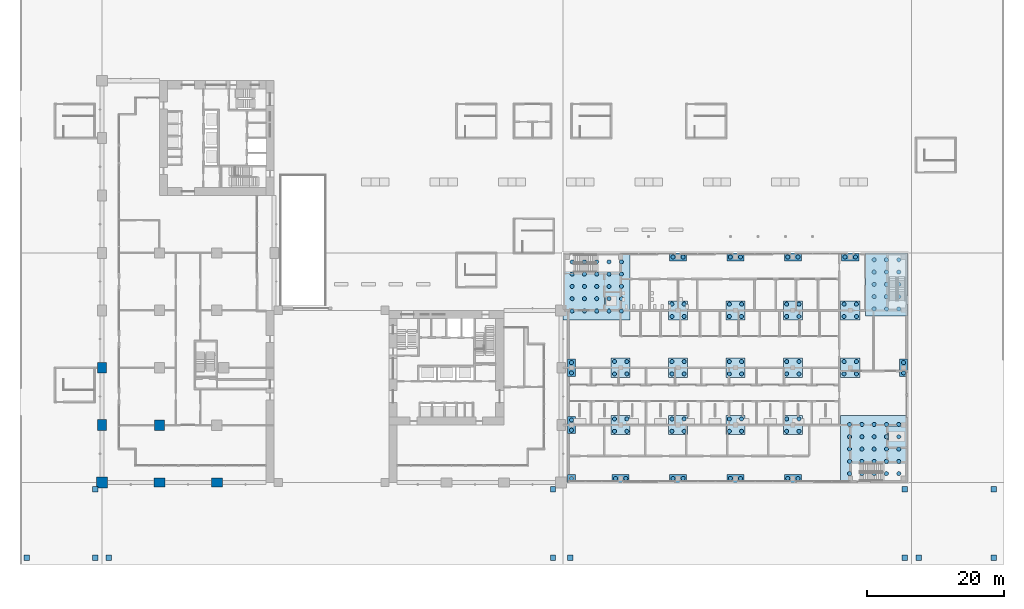
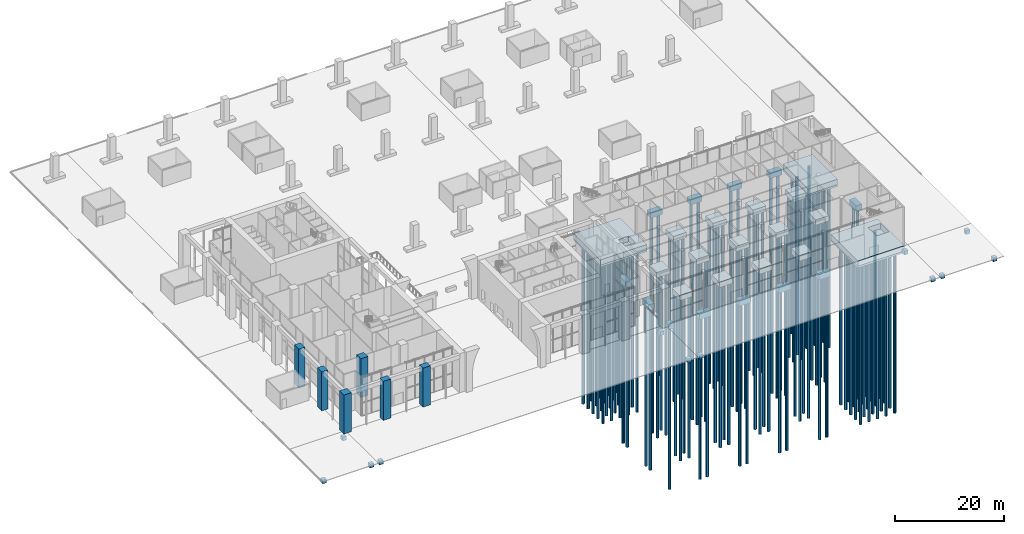
# One storey, part 1 of 46: 140 piles, 43 footings, 6 columns.
"""IFC4 building model written with IfcOpenShell, lengths in metres."""

from ifc_helpers import new_model, si_unit, direction, frame, origin, origin_with_axes, origin_2d, place, context, subcontext, project, spatial, polyline, rectangle, circle, outline, extrude, material, layer, layer_set, material_profile, profile_set, type_object, element, save


model = new_model("IFC4")

# Units and contexts
model_context = context("Model", 3, precision=1e-05, world=origin(), true_north=direction((0.0, 1.0)))
body_context = subcontext(model_context, "Body", "Model", "MODEL_VIEW")
ifc_project = project(units=[si_unit("LENGTHUNIT", "METRE"), si_unit("AREAUNIT", "SQUARE_METRE"), si_unit("VOLUMEUNIT", "CUBIC_METRE"), si_unit("PLANEANGLEUNIT", "RADIAN"), si_unit("MASSUNIT", "GRAM", prefix="KILO")], contexts=[model_context])

# Site, building, storey
site_placement = place(None, origin())
site = spatial("IfcSite", under=ifc_project, at=site_placement, CompositionType="ELEMENT")
building_placement = place(site_placement, origin())
building = spatial("IfcBuilding", under=site, at=building_placement, Name="Vermilion Gate Residences", CompositionType="ELEMENT")
storey_placement = place(building_placement, origin())
storey = spatial("IfcBuildingStorey", under=building, at=storey_placement, Name="L00", CompositionType="ELEMENT", Elevation=0.0)

# Piles
ifc_material_1 = material(Name="Concrete C35", Category="concrete")
ifc_material_profile_1 = material_profile(ifc_material_1, circle(Radius=0.300048828125, at=origin_2d()), Name="BORED PILE 600 C35 (MARKET HALL)")
ifc_profile_set_1 = profile_set([ifc_material_profile_1], Name="Concrete C35")
pile_type = type_object("IfcPileType", Name="BORED PILE 600 C35 (MARKET HALL)", PredefinedType="BORED", material=ifc_profile_set_1)
for number, where, z_axis, x_axis, name in (
    (1, (68.699951171875, 0.60009765625, -1.39990234375), (0.0, 0.0, -1.0), (1.0, 0.0, 0.0), "Bored pile H1-MA-1"),
    (2, (68.699951171875, 7.64990234375, -1.39990234375), (0.0, 0.0, -1.0), (1.0, 0.0, 0.0), "Bored pile H1-MB-1"),
    (3, (68.699951171875, 9.14990234375, -1.39990234375), (0.0, 0.0, -1.0), (1.0, 0.0, 0.0), "Bored pile H1-MB-2"),
    (4, (68.699951171875, 16.050048828125, -1.39990234375), (0.0, 0.0, -1.0), (1.0, 0.0, 0.0), "Bored pile H1-MC-1"),
    (5, (68.699951171875, 17.550048828125, -1.39990234375), (0.0, 0.0, -1.0), (1.0, 0.0, 0.0), "Bored pile H1-MC-2"),
    (6, (75.14990234375, 0.60009765625, -1.39990234375), (0.0, 0.0, -1.0), (1.0, 0.0, 0.0), "Bored pile H2-MA-1"),
    (7, (76.64990234375, 0.60009765625, -1.39990234375), (0.0, 0.0, -1.0), (1.0, 0.0, 0.0), "Bored pile H2-MA-2"),
    (8, (75.0, 7.5, -1.39990234375), (0.0, 0.0, -1.0), (1.0, 0.0, 0.0), "Bored pile H2-MB-1"),
    (9, (76.800048828125, 7.5, -1.39990234375), (0.0, 0.0, -1.0), (1.0, 0.0, 0.0), "Bored pile H2-MB-2"),
    (10, (75.0, 9.300048828125, -1.39990234375), (0.0, 0.0, -1.0), (1.0, 0.0, 0.0), "Bored pile H2-MB-3"),
    (11, (76.800048828125, 9.300048828125, -1.39990234375), (0.0, 0.0, -1.0), (1.0, 0.0, 0.0), "Bored pile H2-MB-4"),
    (12, (75.0, 15.89990234375, -1.39990234375), (0.0, 0.0, -1.0), (1.0, 0.0, 0.0), "Bored pile H2-MC-1"),
    (13, (76.800048828125, 15.89990234375, -1.39990234375), (0.0, 0.0, -1.0), (1.0, 0.0, 0.0), "Bored pile H2-MC-2"),
    (14, (75.0, 17.699951171875, -1.39990234375), (0.0, 0.0, -1.0), (1.0, 0.0, 0.0), "Bored pile H2-MC-3"),
    (15, (76.800048828125, 17.699951171875, -1.39990234375), (0.0, 0.0, -1.0), (1.0, 0.0, 0.0), "Bored pile H2-MC-4"),
    (16, (83.550048828125, 0.60009765625, -1.39990234375), (0.0, 0.0, -1.0), (1.0, 0.0, 0.0), "Bored pile H3-MA-1"),
    (17, (85.050048828125, 0.60009765625, -1.39990234375), (0.0, 0.0, -1.0), (1.0, 0.0, 0.0), "Bored pile H3-MA-2"),
    (18, (83.39990234375, 7.5, -1.39990234375), (0.0, 0.0, -1.0), (1.0, 0.0, 0.0), "Bored pile H3-MB-1"),
    (19, (85.199951171875, 7.5, -1.39990234375), (0.0, 0.0, -1.0), (1.0, 0.0, 0.0), "Bored pile H3-MB-2"),
    (20, (83.39990234375, 9.300048828125, -1.39990234375), (0.0, 0.0, -1.0), (1.0, 0.0, 0.0), "Bored pile H3-MB-3"),
    (21, (85.199951171875, 9.300048828125, -1.39990234375), (0.0, 0.0, -1.0), (1.0, 0.0, 0.0), "Bored pile H3-MB-4"),
    (22, (83.39990234375, 15.89990234375, -1.39990234375), (0.0, 0.0, -1.0), (1.0, 0.0, 0.0), "Bored pile H3-MC-1"),
    (23, (85.199951171875, 15.89990234375, -1.39990234375), (0.0, 0.0, -1.0), (1.0, 0.0, 0.0), "Bored pile H3-MC-2"),
    (24, (83.39990234375, 17.699951171875, -1.39990234375), (0.0, 0.0, -1.0), (1.0, 0.0, 0.0), "Bored pile H3-MC-3"),
    (25, (85.199951171875, 17.699951171875, -1.39990234375), (0.0, 0.0, -1.0), (1.0, 0.0, 0.0), "Bored pile H3-MC-4"),
    (26, (83.39990234375, 24.300048828125, -1.39990234375), (0.0, 0.0, -1.0), (1.0, 0.0, 0.0), "Bored pile H3-MD-1"),
    (27, (85.199951171875, 24.300048828125, -1.39990234375), (0.0, 0.0, -1.0), (1.0, 0.0, 0.0), "Bored pile H3-MD-2"),
    (28, (83.39990234375, 26.10009765625, -1.39990234375), (0.0, 0.0, -1.0), (1.0, 0.0, 0.0), "Bored pile H3-MD-3"),
    (29, (85.199951171875, 26.10009765625, -1.39990234375), (0.0, 0.0, -1.0), (1.0, 0.0, 0.0), "Bored pile H3-MD-4"),
    (30, (83.550048828125, 33.0, -1.39990234375), (0.0, 0.0, -1.0), (1.0, 0.0, 0.0), "Bored pile H3-ME-1"),
    (31, (85.050048828125, 33.0, -1.39990234375), (0.0, 0.0, -1.0), (1.0, 0.0, 0.0), "Bored pile H3-ME-2"),
    (32, (91.949951171875, 0.60009765625, -1.39990234375), (0.0, 0.0, -1.0), (1.0, 0.0, 0.0), "Bored pile H4-MA-1"),
    (33, (93.449951171875, 0.60009765625, -1.39990234375), (0.0, 0.0, -1.0), (1.0, 0.0, 0.0), "Bored pile H4-MA-2"),
    (34, (91.800048828125, 7.5, -1.39990234375), (0.0, 0.0, -1.0), (1.0, 0.0, 0.0), "Bored pile H4-MB-1"),
    (35, (93.60009765625, 7.5, -1.39990234375), (0.0, 0.0, -1.0), (1.0, 0.0, 0.0), "Bored pile H4-MB-2"),
    (36, (91.800048828125, 9.300048828125, -1.39990234375), (0.0, 0.0, -1.0), (1.0, 0.0, 0.0), "Bored pile H4-MB-3"),
    (37, (93.60009765625, 9.300048828125, -1.39990234375), (0.0, 0.0, -1.0), (1.0, 0.0, 0.0), "Bored pile H4-MB-4"),
    (38, (91.800048828125, 15.89990234375, -1.39990234375), (0.0, 0.0, -1.0), (1.0, 0.0, 0.0), "Bored pile H4-MC-1"),
    (39, (93.60009765625, 15.89990234375, -1.39990234375), (0.0, 0.0, -1.0), (1.0, 0.0, 0.0), "Bored pile H4-MC-2"),
    (40, (91.800048828125, 17.699951171875, -1.39990234375), (0.0, 0.0, -1.0), (1.0, 0.0, 0.0), "Bored pile H4-MC-3"),
    (41, (93.60009765625, 17.699951171875, -1.39990234375), (0.0, 0.0, -1.0), (1.0, 0.0, 0.0), "Bored pile H4-MC-4"),
    (42, (91.800048828125, 24.300048828125, -1.39990234375), (0.0, 0.0, -1.0), (1.0, 0.0, 0.0), "Bored pile H4-MD-1"),
    (43, (93.60009765625, 24.300048828125, -1.39990234375), (0.0, 0.0, -1.0), (1.0, 0.0, 0.0), "Bored pile H4-MD-2"),
    (44, (91.800048828125, 26.10009765625, -1.39990234375), (0.0, 0.0, -1.0), (1.0, 0.0, 0.0), "Bored pile H4-MD-3"),
    (45, (93.60009765625, 26.10009765625, -1.39990234375), (0.0, 0.0, -1.0), (1.0, 0.0, 0.0), "Bored pile H4-MD-4"),
    (46, (91.949951171875, 33.0, -1.39990234375), (0.0, 0.0, -1.0), (1.0, 0.0, 0.0), "Bored pile H4-ME-1"),
    (47, (93.449951171875, 33.0, -1.39990234375), (0.0, 0.0, -1.0), (1.0, 0.0, 0.0), "Bored pile H4-ME-2"),
    (48, (100.35009765625, 0.60009765625, -1.39990234375), (0.0, 0.0, -1.0), (1.0, 0.0, 0.0), "Bored pile H5-MA-1"),
    (49, (101.85009765625, 0.60009765625, -1.39990234375), (0.0, 0.0, -1.0), (1.0, 0.0, 0.0), "Bored pile H5-MA-2"),
    (50, (100.199951171875, 7.5, -1.39990234375), (0.0, 0.0, -1.0), (1.0, 0.0, 0.0), "Bored pile H5-MB-1"),
    (51, (102.0, 7.5, -1.39990234375), (0.0, 0.0, -1.0), (1.0, 0.0, 0.0), "Bored pile H5-MB-2"),
    (52, (100.199951171875, 9.300048828125, -1.39990234375), (0.0, 0.0, -1.0), (1.0, 0.0, 0.0), "Bored pile H5-MB-3"),
    (53, (102.0, 9.300048828125, -1.39990234375), (0.0, 0.0, -1.0), (1.0, 0.0, 0.0), "Bored pile H5-MB-4"),
    (54, (100.199951171875, 15.89990234375, -1.39990234375), (0.0, 0.0, -1.0), (1.0, 0.0, 0.0), "Bored pile H5-MC-1"),
    (55, (102.0, 15.89990234375, -1.39990234375), (0.0, 0.0, -1.0), (1.0, 0.0, 0.0), "Bored pile H5-MC-2"),
    (56, (100.199951171875, 17.699951171875, -1.39990234375), (0.0, 0.0, -1.0), (1.0, 0.0, 0.0), "Bored pile H5-MC-3"),
    (57, (102.0, 17.699951171875, -1.39990234375), (0.0, 0.0, -1.0), (1.0, 0.0, 0.0), "Bored pile H5-MC-4"),
    (58, (100.199951171875, 24.300048828125, -1.39990234375), (0.0, 0.0, -1.0), (1.0, 0.0, 0.0), "Bored pile H5-MD-1"),
    (59, (102.0, 24.300048828125, -1.39990234375), (0.0, 0.0, -1.0), (1.0, 0.0, 0.0), "Bored pile H5-MD-2"),
    (60, (100.199951171875, 26.10009765625, -1.39990234375), (0.0, 0.0, -1.0), (1.0, 0.0, 0.0), "Bored pile H5-MD-3"),
    (61, (102.0, 26.10009765625, -1.39990234375), (0.0, 0.0, -1.0), (1.0, 0.0, 0.0), "Bored pile H5-MD-4"),
    (62, (100.35009765625, 33.0, -1.39990234375), (0.0, 0.0, -1.0), (1.0, 0.0, 0.0), "Bored pile H5-ME-1"),
    (63, (101.85009765625, 33.0, -1.39990234375), (0.0, 0.0, -1.0), (1.0, 0.0, 0.0), "Bored pile H5-ME-2"),
    (64, (108.60009765625, 15.89990234375, -1.39990234375), (0.0, 0.0, -1.0), (1.0, 0.0, 0.0), "Bored pile H6-MC-1"),
    (65, (110.39990234375, 15.89990234375, -1.39990234375), (0.0, 0.0, -1.0), (1.0, 0.0, 0.0), "Bored pile H6-MC-2"),
    (66, (108.60009765625, 17.699951171875, -1.39990234375), (0.0, 0.0, -1.0), (1.0, 0.0, 0.0), "Bored pile H6-MC-3"),
    (67, (110.39990234375, 17.699951171875, -1.39990234375), (0.0, 0.0, -1.0), (1.0, 0.0, 0.0), "Bored pile H6-MC-4"),
    (68, (108.60009765625, 24.300048828125, -1.39990234375), (0.0, 0.0, -1.0), (1.0, 0.0, 0.0), "Bored pile H6-MD-1"),
    (69, (110.39990234375, 24.300048828125, -1.39990234375), (0.0, 0.0, -1.0), (1.0, 0.0, 0.0), "Bored pile H6-MD-2"),
    (70, (108.60009765625, 26.10009765625, -1.39990234375), (0.0, 0.0, -1.0), (1.0, 0.0, 0.0), "Bored pile H6-MD-3"),
    (71, (110.39990234375, 26.10009765625, -1.39990234375), (0.0, 0.0, -1.0), (1.0, 0.0, 0.0), "Bored pile H6-MD-4"),
    (72, (108.75, 33.0, -1.39990234375), (0.0, 0.0, -1.0), (1.0, 0.0, 0.0), "Bored pile H6-ME-1"),
    (73, (110.25, 33.0, -1.39990234375), (0.0, 0.0, -1.0), (1.0, 0.0, 0.0), "Bored pile H6-ME-2"),
    (74, (117.300048828125, 16.050048828125, -1.39990234375), (0.0, 0.0, -1.0), (1.0, 0.0, 0.0), "Bored pile H7-MC-1"),
    (75, (117.300048828125, 17.550048828125, -1.39990234375), (0.0, 0.0, -1.0), (1.0, 0.0, 0.0), "Bored pile H7-MC-2"),
    (76, (68.800048828125, 25.10009765625, -1.60009765625), (0.0, 0.0, -1.0), (1.0, 0.0, 0.0), "Bored pile core A-1-1"),
    (77, (68.800048828125, 26.89990234375, -1.60009765625), (0.0, 0.0, -1.0), (1.0, 0.0, 0.0), "Bored pile core A-1-2"),
    (78, (68.800048828125, 28.699951171875, -1.60009765625), (0.0, 0.0, -1.0), (1.0, 0.0, 0.0), "Bored pile core A-1-3"),
    (79, (68.800048828125, 30.5, -1.60009765625), (0.0, 0.0, -1.0), (1.0, 0.0, 0.0), "Bored pile core A-1-4"),
    (80, (68.800048828125, 32.300048828125, -1.60009765625), (0.0, 0.0, -1.0), (1.0, 0.0, 0.0), "Bored pile core A-1-5"),
    (81, (70.60009765625, 25.10009765625, -1.60009765625), (0.0, 0.0, -1.0), (1.0, 0.0, 0.0), "Bored pile core A-2-1"),
    (82, (70.60009765625, 26.89990234375, -1.60009765625), (0.0, 0.0, -1.0), (1.0, 0.0, 0.0), "Bored pile core A-2-2"),
    (83, (70.60009765625, 28.699951171875, -1.60009765625), (0.0, 0.0, -1.0), (1.0, 0.0, 0.0), "Bored pile core A-2-3"),
    (84, (70.60009765625, 30.5, -1.60009765625), (0.0, 0.0, -1.0), (1.0, 0.0, 0.0), "Bored pile core A-2-4"),
    (85, (70.60009765625, 32.300048828125, -1.60009765625), (0.0, 0.0, -1.0), (1.0, 0.0, 0.0), "Bored pile core A-2-5"),
    (86, (72.39990234375, 25.10009765625, -1.60009765625), (0.0, 0.0, -1.0), (1.0, 0.0, 0.0), "Bored pile core A-3-1"),
    (87, (72.39990234375, 26.89990234375, -1.60009765625), (0.0, 0.0, -1.0), (1.0, 0.0, 0.0), "Bored pile core A-3-2"),
    (88, (72.39990234375, 28.699951171875, -1.60009765625), (0.0, 0.0, -1.0), (1.0, 0.0, 0.0), "Bored pile core A-3-3"),
    (89, (72.39990234375, 30.5, -1.60009765625), (0.0, 0.0, -1.0), (1.0, 0.0, 0.0), "Bored pile core A-3-4"),
    (90, (72.39990234375, 32.300048828125, -1.60009765625), (0.0, 0.0, -1.0), (1.0, 0.0, 0.0), "Bored pile core A-3-5"),
    (91, (74.199951171875, 25.10009765625, -1.60009765625), (0.0, 0.0, -1.0), (1.0, 0.0, 0.0), "Bored pile core A-4-1"),
    (92, (74.199951171875, 26.89990234375, -1.60009765625), (0.0, 0.0, -1.0), (1.0, 0.0, 0.0), "Bored pile core A-4-2"),
    (93, (74.199951171875, 28.699951171875, -1.60009765625), (0.0, 0.0, -1.0), (1.0, 0.0, 0.0), "Bored pile core A-4-3"),
    (94, (74.199951171875, 30.5, -1.60009765625), (0.0, 0.0, -1.0), (1.0, 0.0, 0.0), "Bored pile core A-4-4"),
    (95, (74.199951171875, 32.300048828125, -1.60009765625), (0.0, 0.0, -1.0), (1.0, 0.0, 0.0), "Bored pile core A-4-5"),
    (96, (76.0, 25.10009765625, -1.60009765625), (0.0, 0.0, -1.0), (1.0, 0.0, 0.0), "Bored pile core A-5-1"),
    (97, (76.0, 26.89990234375, -1.60009765625), (0.0, 0.0, -1.0), (1.0, 0.0, 0.0), "Bored pile core A-5-2"),
    (98, (76.0, 28.699951171875, -1.60009765625), (0.0, 0.0, -1.0), (1.0, 0.0, 0.0), "Bored pile core A-5-3"),
    (99, (76.0, 30.5, -1.60009765625), (0.0, 0.0, -1.0), (1.0, 0.0, 0.0), "Bored pile core A-5-4"),
    (100, (76.0, 32.300048828125, -1.60009765625), (0.0, 0.0, -1.0), (1.0, 0.0, 0.0), "Bored pile core A-5-5"),
    (101, (109.39990234375, 1.300048828125, -1.60009765625), (0.0, 0.0, -1.0), (1.0, 0.0, 0.0), "Bored pile core B-1-1"),
    (102, (109.39990234375, 3.10009765625, -1.60009765625), (0.0, 0.0, -1.0), (1.0, 0.0, 0.0), "Bored pile core B-1-2"),
    (103, (109.39990234375, 4.89990234375, -1.60009765625), (0.0, 0.0, -1.0), (1.0, 0.0, 0.0), "Bored pile core B-1-3"),
    (104, (109.39990234375, 6.699951171875, -1.60009765625), (0.0, 0.0, -1.0), (1.0, 0.0, 0.0), "Bored pile core B-1-4"),
    (105, (109.39990234375, 8.5, -1.60009765625), (0.0, 0.0, -1.0), (1.0, 0.0, 0.0), "Bored pile core B-1-5"),
    (106, (111.199951171875, 1.300048828125, -1.60009765625), (0.0, 0.0, -1.0), (1.0, 0.0, 0.0), "Bored pile core B-2-1"),
    (107, (111.199951171875, 3.10009765625, -1.60009765625), (0.0, 0.0, -1.0), (1.0, 0.0, 0.0), "Bored pile core B-2-2"),
    (108, (111.199951171875, 4.89990234375, -1.60009765625), (0.0, 0.0, -1.0), (1.0, 0.0, 0.0), "Bored pile core B-2-3"),
    (109, (111.199951171875, 6.699951171875, -1.60009765625), (0.0, 0.0, -1.0), (1.0, 0.0, 0.0), "Bored pile core B-2-4"),
    (110, (111.199951171875, 8.5, -1.60009765625), (0.0, 0.0, -1.0), (1.0, 0.0, 0.0), "Bored pile core B-2-5"),
    (111, (113.0, 1.300048828125, -1.60009765625), (0.0, 0.0, -1.0), (1.0, 0.0, 0.0), "Bored pile core B-3-1"),
    (112, (113.0, 3.10009765625, -1.60009765625), (0.0, 0.0, -1.0), (1.0, 0.0, 0.0), "Bored pile core B-3-2"),
    (113, (113.0, 4.89990234375, -1.60009765625), (0.0, 0.0, -1.0), (1.0, 0.0, 0.0), "Bored pile core B-3-3"),
    (114, (113.0, 6.699951171875, -1.60009765625), (0.0, 0.0, -1.0), (1.0, 0.0, 0.0), "Bored pile core B-3-4"),
    (115, (113.0, 8.5, -1.60009765625), (0.0, 0.0, -1.0), (1.0, 0.0, 0.0), "Bored pile core B-3-5"),
    (116, (114.800048828125, 1.300048828125, -1.60009765625), (0.0, 0.0, -1.0), (1.0, 0.0, 0.0), "Bored pile core B-4-1"),
    (117, (114.800048828125, 3.10009765625, -1.60009765625), (0.0, 0.0, -1.0), (1.0, 0.0, 0.0), "Bored pile core B-4-2"),
    (118, (114.800048828125, 4.89990234375, -1.60009765625), (0.0, 0.0, -1.0), (1.0, 0.0, 0.0), "Bored pile core B-4-3"),
    (119, (114.800048828125, 6.699951171875, -1.60009765625), (0.0, 0.0, -1.0), (1.0, 0.0, 0.0), "Bored pile core B-4-4"),
    (120, (114.800048828125, 8.5, -1.60009765625), (0.0, 0.0, -1.0), (1.0, 0.0, 0.0), "Bored pile core B-4-5"),
    (121, (116.60009765625, 1.300048828125, -1.60009765625), (0.0, 0.0, -1.0), (1.0, 0.0, 0.0), "Bored pile core B-5-1"),
    (122, (116.60009765625, 3.10009765625, -1.60009765625), (0.0, 0.0, -1.0), (1.0, 0.0, 0.0), "Bored pile core B-5-2"),
    (123, (116.60009765625, 4.89990234375, -1.60009765625), (0.0, 0.0, -1.0), (1.0, 0.0, 0.0), "Bored pile core B-5-3"),
    (124, (116.60009765625, 6.699951171875, -1.60009765625), (0.0, 0.0, -1.0), (1.0, 0.0, 0.0), "Bored pile core B-5-4"),
    (125, (116.60009765625, 8.5, -1.60009765625), (0.0, 0.0, -1.0), (1.0, 0.0, 0.0), "Bored pile core B-5-5"),
    (126, (113.0, 25.39990234375, -1.60009765625), (0.0, 0.0, -1.0), (1.0, 0.0, 0.0), "Bored pile core C-1-1"),
    (127, (113.0, 27.199951171875, -1.60009765625), (0.0, 0.0, -1.0), (1.0, 0.0, 0.0), "Bored pile core C-1-2"),
    (128, (113.0, 29.0, -1.60009765625), (0.0, 0.0, -1.0), (1.0, 0.0, 0.0), "Bored pile core C-1-3"),
    (129, (113.0, 30.800048828125, -1.60009765625), (0.0, 0.0, -1.0), (1.0, 0.0, 0.0), "Bored pile core C-1-4"),
    (130, (113.0, 32.60009765625, -1.60009765625), (0.0, 0.0, -1.0), (1.0, 0.0, 0.0), "Bored pile core C-1-5"),
    (131, (114.800048828125, 25.39990234375, -1.60009765625), (0.0, 0.0, -1.0), (1.0, 0.0, 0.0), "Bored pile core C-2-1"),
    (132, (114.800048828125, 27.199951171875, -1.60009765625), (0.0, 0.0, -1.0), (1.0, 0.0, 0.0), "Bored pile core C-2-2"),
    (133, (114.800048828125, 29.0, -1.60009765625), (0.0, 0.0, -1.0), (1.0, 0.0, 0.0), "Bored pile core C-2-3"),
    (134, (114.800048828125, 30.800048828125, -1.60009765625), (0.0, 0.0, -1.0), (1.0, 0.0, 0.0), "Bored pile core C-2-4"),
    (135, (114.800048828125, 32.60009765625, -1.60009765625), (0.0, 0.0, -1.0), (1.0, 0.0, 0.0), "Bored pile core C-2-5"),
    (136, (116.60009765625, 25.39990234375, -1.60009765625), (0.0, 0.0, -1.0), (1.0, 0.0, 0.0), "Bored pile core C-3-1"),
    (137, (116.60009765625, 27.199951171875, -1.60009765625), (0.0, 0.0, -1.0), (1.0, 0.0, 0.0), "Bored pile core C-3-2"),
    (138, (116.60009765625, 29.0, -1.60009765625), (0.0, 0.0, -1.0), (1.0, 0.0, 0.0), "Bored pile core C-3-3"),
    (139, (116.60009765625, 30.800048828125, -1.60009765625), (0.0, 0.0, -1.0), (1.0, 0.0, 0.0), "Bored pile core C-3-4"),
    (140, (116.60009765625, 32.60009765625, -1.60009765625), (0.0, 0.0, -1.0), (1.0, 0.0, 0.0), "Bored pile core C-3-5"),
):
    element("IfcPile", number, at=place(storey_placement, frame(where, z_axis=z_axis, x_axis=x_axis)), inside=storey, type_object=pile_type, Name=name, PredefinedType="BORED", context=body_context, shape_type="SweptSolid", body=[
        extrude(circle(Radius=0.300048828125, at=origin_2d()), origin(), (0.0, 0.0, 1.0), 36.0),
    ])

# Footings
ifc_material_2 = material(Name="Concrete C35", Category="concrete")
ifc_layer_1 = layer(ifc_material_2, 1.199951171875)
ifc_layer_set_1 = layer_set([ifc_layer_1], Name="CORE PILE CAP 1200 C35 (MARKET HALL)")
footing_type_1 = type_object("IfcFootingType", Name="CORE PILE CAP 1200 C35 (MARKET HALL)", PredefinedType="PILE_CAP", material=ifc_layer_set_1)
footing_1_placement = place(storey_placement, frame((0.0, 0.0, -1.199951171875)))
element("IfcFooting", 141, at=footing_1_placement, inside=storey, type_object=footing_type_1, Name="Core pile cap A", PredefinedType="PILE_CAP", context=body_context, shape_type="SweptSolid", body=[
    extrude(outline(polyline([(67.5, 23.800048828125), (77.300048828125, 23.800048828125), (77.300048828125, 33.60009765625), (67.5, 33.60009765625), (67.5, 23.800048828125)]), holes=[polyline([(73.625, 25.324951171875), (75.77490234375, 25.324951171875), (75.77490234375, 27.77490234375), (73.625, 27.77490234375), (73.625, 25.324951171875)])]), origin(), (0.0, 0.0, 1.0), 1.199951171875),
])
footing_2_placement = place(storey_placement, frame((0.0, 0.0, -1.199951171875)))
element("IfcFooting", 142, at=footing_2_placement, inside=storey, type_object=footing_type_1, Name="Core pile cap B", PredefinedType="PILE_CAP", context=body_context, shape_type="SweptSolid", body=[
    extrude(outline(polyline([(108.10009765625, 0.0), (117.89990234375, 0.0), (117.89990234375, 9.800048828125), (108.10009765625, 9.800048828125), (108.10009765625, 0.0)]), holes=[polyline([(115.02490234375, 5.22509765625), (117.64990234375, 5.22509765625), (117.64990234375, 8.27490234375), (115.02490234375, 8.27490234375), (115.02490234375, 5.22509765625)])]), origin(), (0.0, 0.0, 1.0), 1.199951171875),
])
footing_3_placement = place(storey_placement, frame((0.0, 0.0, -1.199951171875)))
element("IfcFooting", 143, at=footing_3_placement, inside=storey, type_object=footing_type_1, Name="Core pile cap C", PredefinedType="PILE_CAP", context=body_context, shape_type="SweptSolid", body=[
    extrude(outline(polyline([(111.699951171875, 24.39990234375), (117.89990234375, 24.39990234375), (117.89990234375, 33.60009765625), (111.699951171875, 33.60009765625), (111.699951171875, 24.39990234375)])), origin(), (0.0, 0.0, 1.0), 1.199951171875),
])
ifc_material_3 = material(Name="Concrete C35", Category="concrete")
ifc_layer_2 = layer(ifc_material_3, 0.39990234375)
ifc_layer_set_2 = layer_set([ifc_layer_2], Name="CORE PILE CAP BASE 400 C35 (MARKET HALL)")
footing_type_2 = type_object("IfcFootingType", Name="CORE PILE CAP BASE 400 C35 (MARKET HALL)", PredefinedType="PILE_CAP", material=ifc_layer_set_2)
footing_4_placement = place(storey_placement, frame((0.0, 0.0, -1.60009765625)))
element("IfcFooting", 144, at=footing_4_placement, inside=storey, type_object=footing_type_2, Name="Core pile cap A base", PredefinedType="PILE_CAP", context=body_context, shape_type="SweptSolid", body=[
    extrude(outline(polyline([(67.5, 23.800048828125), (77.300048828125, 23.800048828125), (77.300048828125, 33.60009765625), (67.5, 33.60009765625), (67.5, 23.800048828125)])), origin(), (0.0, 0.0, 1.0), 0.400146484375),
])
footing_5_placement = place(storey_placement, frame((0.0, 0.0, -1.60009765625)))
element("IfcFooting", 145, at=footing_5_placement, inside=storey, type_object=footing_type_2, Name="Core pile cap B base", PredefinedType="PILE_CAP", context=body_context, shape_type="SweptSolid", body=[
    extrude(outline(polyline([(108.10009765625, 0.0), (117.89990234375, 0.0), (117.89990234375, 9.800048828125), (108.10009765625, 9.800048828125), (108.10009765625, 0.0)])), origin(), (0.0, 0.0, 1.0), 0.400146484375),
])
footing_6_placement = place(storey_placement, frame((0.0, 0.0, -1.60009765625)))
element("IfcFooting", 146, at=footing_6_placement, inside=storey, type_object=footing_type_2, Name="Core pile cap C base", PredefinedType="PILE_CAP", context=body_context, shape_type="SweptSolid", body=[
    extrude(outline(polyline([(111.699951171875, 24.39990234375), (117.89990234375, 24.39990234375), (117.89990234375, 33.60009765625), (111.699951171875, 33.60009765625), (111.699951171875, 24.39990234375)])), origin(), (0.0, 0.0, 1.0), 0.400146484375),
])
ifc_material_4 = material(Name="Concrete C35", Category="concrete")
ifc_layer_3 = layer(ifc_material_4, 1.199951171875)
ifc_layer_set_3 = layer_set([ifc_layer_3], Name="PILE CAP 1200 X 1200 X 1200 C35 (MARKET HALL)")
footing_type_3 = type_object("IfcFootingType", Name="PILE CAP 1200 X 1200 X 1200 C35 (MARKET HALL)", PredefinedType="PILE_CAP", material=ifc_layer_set_3)
footing_7_placement = place(storey_placement, frame((68.699951171875, 0.60009765625, -1.39990234375), z_axis=(0.0, 0.0, 1.0), x_axis=(1.0, 0.0, 0.0)))
element("IfcFooting", 147, at=footing_7_placement, inside=storey, type_object=footing_type_3, Name="Pile cap H1-MA", PredefinedType="PILE_CAP", context=body_context, shape_type="SweptSolid", body=[
    extrude(rectangle(XDim=1.199951171875, YDim=1.199951171875, at=origin_2d()), origin(), (0.0, 0.0, 1.0), 1.199951171875),
])
ifc_material_5 = material(Name="Concrete C35", Category="concrete")
ifc_layer_4 = layer(ifc_material_5, 1.199951171875)
ifc_layer_set_4 = layer_set([ifc_layer_4], Name="PILE CAP 2500 X 1200 X 1200 C35 (MARKET HALL)")
footing_type_4 = type_object("IfcFootingType", Name="PILE CAP 2500 X 1200 X 1200 C35 (MARKET HALL)", PredefinedType="PILE_CAP", material=ifc_layer_set_4)
for number, where, z_axis, x_axis, name in (
    (148, (68.699951171875, 8.39990234375, -1.39990234375), (0.0, 0.0, 1.0), (1.0, 0.0, 0.0), "Pile cap H1-MB"),
    (149, (68.699951171875, 16.800048828125, -1.39990234375), (0.0, 0.0, 1.0), (1.0, 0.0, 0.0), "Pile cap H1-MC"),
):
    element("IfcFooting", number, at=place(storey_placement, frame(where, z_axis=z_axis, x_axis=x_axis)), inside=storey, type_object=footing_type_4, Name=name, PredefinedType="PILE_CAP", context=body_context, shape_type="SweptSolid", body=[
        extrude(rectangle(XDim=1.199951171875, YDim=2.5, at=origin_2d()), origin(), (0.0, 0.0, 1.0), 1.199951171875),
    ])
for number, where, z_axis, x_axis, name in (
    (150, (75.89990234375, 0.60009765625, -1.39990234375), (0.0, 0.0, 1.0), (1.0, 0.0, 0.0), "Pile cap H2-MA"),
    (151, (84.300048828125, 0.60009765625, -1.39990234375), (0.0, 0.0, 1.0), (1.0, 0.0, 0.0), "Pile cap H3-MA"),
    (152, (84.300048828125, 33.0, -1.39990234375), (0.0, 0.0, 1.0), (1.0, 0.0, 0.0), "Pile cap H3-ME"),
    (153, (92.699951171875, 0.60009765625, -1.39990234375), (0.0, 0.0, 1.0), (1.0, 0.0, 0.0), "Pile cap H4-MA"),
    (154, (92.699951171875, 33.0, -1.39990234375), (0.0, 0.0, 1.0), (1.0, 0.0, 0.0), "Pile cap H4-ME"),
    (155, (101.10009765625, 0.60009765625, -1.39990234375), (0.0, 0.0, 1.0), (1.0, 0.0, 0.0), "Pile cap H5-MA"),
    (156, (101.10009765625, 33.0, -1.39990234375), (0.0, 0.0, 1.0), (1.0, 0.0, 0.0), "Pile cap H5-ME"),
    (157, (109.5, 33.0, -1.39990234375), (0.0, 0.0, 1.0), (1.0, 0.0, 0.0), "Pile cap H6-ME"),
):
    element("IfcFooting", number, at=place(storey_placement, frame(where, z_axis=z_axis, x_axis=x_axis)), inside=storey, type_object=footing_type_4, Name=name, PredefinedType="PILE_CAP", context=body_context, shape_type="SweptSolid", body=[
        extrude(rectangle(XDim=2.5, YDim=1.199951171875, at=origin_2d()), origin(), (0.0, 0.0, 1.0), 1.199951171875),
    ])
footing_8_placement = place(storey_placement, frame((117.300048828125, 16.800048828125, -1.39990234375), z_axis=(0.0, 0.0, 1.0), x_axis=(1.0, 0.0, 0.0)))
element("IfcFooting", 158, at=footing_8_placement, inside=storey, type_object=footing_type_4, Name="Pile cap H7-MC", PredefinedType="PILE_CAP", context=body_context, shape_type="SweptSolid", body=[
    extrude(rectangle(XDim=1.199951171875, YDim=2.5, at=origin_2d()), origin(), (0.0, 0.0, 1.0), 1.199951171875),
])
ifc_material_6 = material(Name="Concrete C35", Category="concrete")
ifc_layer_5 = layer(ifc_material_6, 1.199951171875)
ifc_layer_set_5 = layer_set([ifc_layer_5], Name="PILE CAP 2800 X 2800 X 1200 C35 (MARKET HALL)")
footing_type_5 = type_object("IfcFootingType", Name="PILE CAP 2800 X 2800 X 1200 C35 (MARKET HALL)", PredefinedType="PILE_CAP", material=ifc_layer_set_5)
for number, where, z_axis, x_axis, name in (
    (159, (75.89990234375, 8.39990234375, -1.39990234375), (0.0, 0.0, 1.0), (1.0, 0.0, 0.0), "Pile cap H2-MB"),
    (160, (75.89990234375, 16.800048828125, -1.39990234375), (0.0, 0.0, 1.0), (1.0, 0.0, 0.0), "Pile cap H2-MC"),
    (161, (84.300048828125, 8.39990234375, -1.39990234375), (0.0, 0.0, 1.0), (1.0, 0.0, 0.0), "Pile cap H3-MB"),
    (162, (84.300048828125, 16.800048828125, -1.39990234375), (0.0, 0.0, 1.0), (1.0, 0.0, 0.0), "Pile cap H3-MC"),
    (163, (84.300048828125, 25.199951171875, -1.39990234375), (0.0, 0.0, 1.0), (1.0, 0.0, 0.0), "Pile cap H3-MD"),
    (164, (92.699951171875, 8.39990234375, -1.39990234375), (0.0, 0.0, 1.0), (1.0, 0.0, 0.0), "Pile cap H4-MB"),
    (165, (92.699951171875, 16.800048828125, -1.39990234375), (0.0, 0.0, 1.0), (1.0, 0.0, 0.0), "Pile cap H4-MC"),
    (166, (92.699951171875, 25.199951171875, -1.39990234375), (0.0, 0.0, 1.0), (1.0, 0.0, 0.0), "Pile cap H4-MD"),
    (167, (101.10009765625, 8.39990234375, -1.39990234375), (0.0, 0.0, 1.0), (1.0, 0.0, 0.0), "Pile cap H5-MB"),
    (168, (101.10009765625, 16.800048828125, -1.39990234375), (0.0, 0.0, 1.0), (1.0, 0.0, 0.0), "Pile cap H5-MC"),
    (169, (101.10009765625, 25.199951171875, -1.39990234375), (0.0, 0.0, 1.0), (1.0, 0.0, 0.0), "Pile cap H5-MD"),
    (170, (109.5, 16.800048828125, -1.39990234375), (0.0, 0.0, 1.0), (1.0, 0.0, 0.0), "Pile cap H6-MC"),
    (171, (109.5, 25.199951171875, -1.39990234375), (0.0, 0.0, 1.0), (1.0, 0.0, 0.0), "Pile cap H6-MD"),
):
    element("IfcFooting", number, at=place(storey_placement, frame(where, z_axis=z_axis, x_axis=x_axis)), inside=storey, type_object=footing_type_5, Name=name, PredefinedType="PILE_CAP", context=body_context, shape_type="SweptSolid", body=[
        extrude(rectangle(XDim=2.800048828125, YDim=2.800048828125, at=origin_2d()), origin(), (0.0, 0.0, 1.0), 1.199951171875),
    ])
ifc_material_7 = material(Name="Concrete C35", Category="concrete")
footing_type_6 = type_object("IfcFootingType", Name="PLAZA EDGE PAD FOOTING 800 X 800 X 850 C35 (MARKET HALL)", PredefinedType="PAD_FOOTING", material=ifc_material_7)
for number, where, z_axis, x_axis, name in (
    (172, (-11.0, -11.0, -1.0), (0.0, 0.0, 1.0), (1.0, 0.0, 0.0), "Plaza edge pad footing 1-1"),
    (173, (-1.0, -11.0, -1.0), (0.0, 0.0, 1.0), (1.0, 0.0, 0.0), "Plaza edge pad footing 1-2"),
    (174, (-1.0, -1.0, -1.0), (0.0, 0.0, 1.0), (1.0, 0.0, 0.0), "Plaza edge pad footing 1-3"),
    (175, (1.0, -11.0, -1.0), (0.0, 0.0, 1.0), (1.0, 0.0, 0.0), "Plaza edge pad footing 2-1"),
    (176, (66.0, -11.0, -1.0), (0.0, 0.0, 1.0), (1.0, 0.0, 0.0), "Plaza edge pad footing 2-2"),
    (177, (66.0, -1.0, -1.0), (0.0, 0.0, 1.0), (1.0, 0.0, 0.0), "Plaza edge pad footing 2-3"),
    (178, (68.5, -11.0, -1.0), (0.0, 0.0, 1.0), (1.0, 0.0, 0.0), "Plaza edge pad footing 3-1"),
    (179, (117.5, -11.0, -1.0), (0.0, 0.0, 1.0), (1.0, 0.0, 0.0), "Plaza edge pad footing 3-2"),
    (180, (117.5, -1.0, -1.0), (0.0, 0.0, 1.0), (1.0, 0.0, 0.0), "Plaza edge pad footing 3-3"),
    (181, (119.5, -11.0, -1.0), (0.0, 0.0, 1.0), (1.0, 0.0, 0.0), "Plaza edge pad footing 4-1"),
    (182, (130.5, -11.0, -1.0), (0.0, 0.0, 1.0), (1.0, 0.0, 0.0), "Plaza edge pad footing 4-2"),
    (183, (130.5, -1.0, -1.0), (0.0, 0.0, 1.0), (1.0, 0.0, 0.0), "Plaza edge pad footing 4-3"),
):
    element("IfcFooting", number, at=place(storey_placement, frame(where, z_axis=z_axis, x_axis=x_axis)), inside=storey, type_object=footing_type_6, Name=name, PredefinedType="PAD_FOOTING", context=body_context, shape_type="SweptSolid", body=[
        extrude(rectangle(XDim=0.800048828125, YDim=0.800048828125, at=origin_2d()), origin(), (0.0, 0.0, 1.0), 0.85009765625),
    ])

# Columns
ifc_material_8 = material(Name="Concrete C80", Category="concrete")
ifc_material_profile_2 = material_profile(ifc_material_8, rectangle(XDim=1.5, YDim=1.5, at=origin_2d()), Name="RC-1500x1500")
ifc_profile_set_2 = profile_set([ifc_material_profile_2], Name="Concrete C80")
column_type_1 = type_object("IfcColumnType", Name="RC COLUMN 1500 X 1500 C80", PredefinedType="COLUMN", material=ifc_profile_set_2)
column_1_placement = place(storey_placement, frame((8.39990234375, 8.39990234375, 0.0), z_axis=(0.0, 0.0, 1.0), x_axis=(1.0, 0.0, 0.0)))
element("IfcColumn", 184, at=column_1_placement, inside=storey, type_object=column_type_1, Name="Column 2-B L00", PredefinedType="COLUMN", context=body_context, shape_type="SweptSolid", body=[
    extrude(rectangle(XDim=1.5, YDim=1.5, at=origin_2d()), origin(), (0.0, 0.0, 1.0), 8.699951171875),
])
ifc_material_9 = material(Name="Concrete C80", Category="concrete")
ifc_material_profile_3 = material_profile(ifc_material_9, rectangle(XDim=1.60009765625, YDim=1.300048828125, at=origin_2d()), Name="RC-1600x1300")
ifc_profile_set_3 = profile_set([ifc_material_profile_3], Name="Concrete C80")
column_type_2 = type_object("IfcColumnType", Name="RC COLUMN 1600 X 1300 C80", PredefinedType="COLUMN", material=ifc_profile_set_3)
for number, where, z_axis, x_axis, name in (
    (185, (0.0, 8.39990234375, 0.0), (0.0, 0.0, 1.0), (0.0, 1.0, 0.0), "Column 1-B L00"),
    (186, (0.0, 16.800048828125, 0.0), (0.0, 0.0, 1.0), (0.0, 1.0, 0.0), "Column 1-C L00"),
    (187, (8.39990234375, 0.0, 0.0), (0.0, 0.0, 1.0), (1.0, 0.0, 0.0), "Column 2-A L00"),
    (188, (16.800048828125, 0.0, 0.0), (0.0, 0.0, 1.0), (1.0, 0.0, 0.0), "Column 3-A L00"),
):
    element("IfcColumn", number, at=place(storey_placement, frame(where, z_axis=z_axis, x_axis=x_axis)), inside=storey, type_object=column_type_2, Name=name, PredefinedType="COLUMN", context=body_context, shape_type="SweptSolid", body=[
        extrude(rectangle(XDim=1.60009765625, YDim=1.300048828125, at=origin_2d()), origin(), (0.0, 0.0, 1.0), 8.699951171875),
    ])
ifc_material_10 = material(Name="Concrete C80", Category="concrete")
ifc_material_profile_4 = material_profile(ifc_material_10, rectangle(XDim=1.60009765625, YDim=1.60009765625, at=origin_2d()), Name="RC-1600x1600")
ifc_profile_set_4 = profile_set([ifc_material_profile_4], Name="Concrete C80")
column_type_3 = type_object("IfcColumnType", Name="RC COLUMN 1600 X 1600 C80", PredefinedType="COLUMN", material=ifc_profile_set_4)
column_2_placement = place(storey_placement, origin_with_axes())
element("IfcColumn", 189, at=column_2_placement, inside=storey, type_object=column_type_3, Name="Column 1-A L00", PredefinedType="COLUMN", context=body_context, shape_type="SweptSolid", body=[
    extrude(rectangle(XDim=1.60009765625, YDim=1.60009765625, at=origin_2d()), origin(), (0.0, 0.0, 1.0), 8.699951171875),
])

save(model, "model.ifc")
